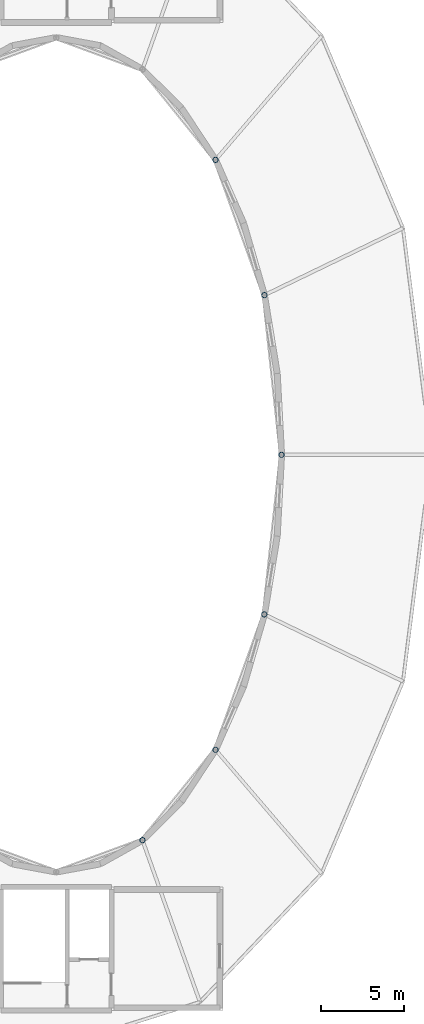
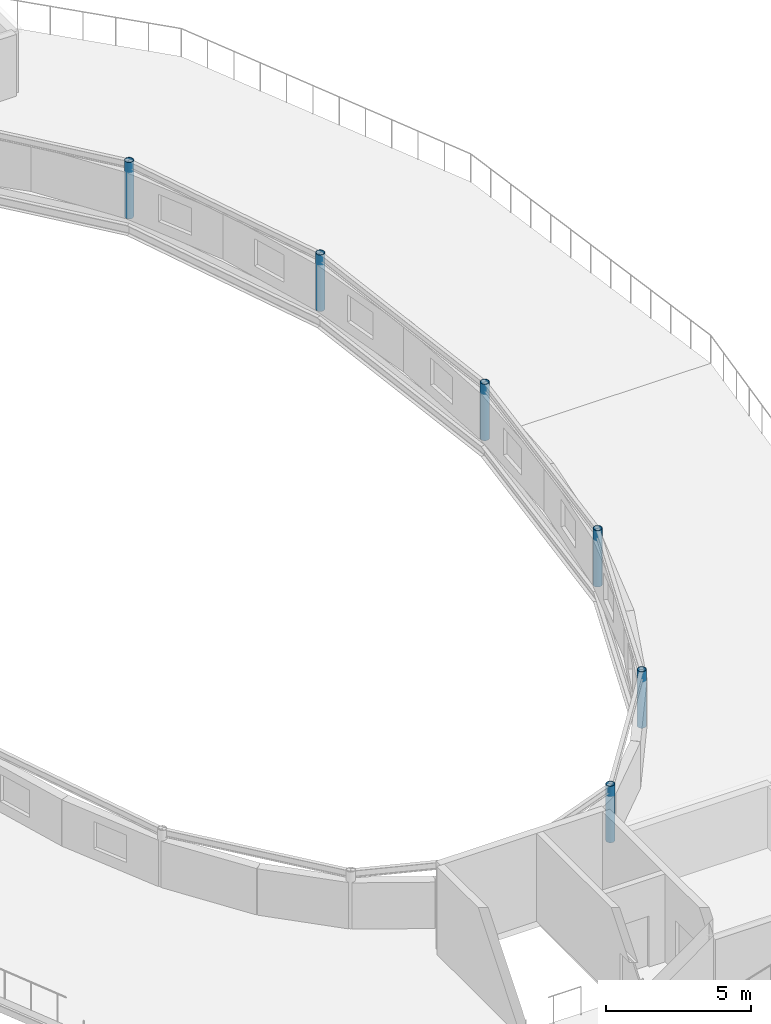
# One storey, part 23 of 123: 6 columns.
"""IFC4 building model written with IfcOpenShell, lengths in metres."""

import ifcopenshell
import ifcopenshell.guid

model = None  # the IFC model being written
_history = None  # IfcOwnerHistory: only IFC2X3 demands one
_inside = {}  # id of a spatial element -> (the spatial element, [elements in it])
_under = {}  # id of a project, library or spatial element -> (it, [spatial elements below it])
_declared = {}  # id of a project -> (the project, [libraries it declares])
_typed = {}  # id of a type object -> (the type object, [elements of that type])
_made_of = {}  # id of a material, layer set ... -> (it, [elements and type objects made of it])


def new_model(schema):
    """Start an empty IFC model of exactly this schema.

    Asked for "IFC4X3", IfcOpenShell would pick the latest addendum, in which some entities
    have other attributes; the version numbers below select the first issue.
    IFC2X3 requires an IfcOwnerHistory on every rooted entity: one is made here for all.
    """
    global model, _history
    if schema == "IFC4X3":
        model = ifcopenshell.file(schema_version=(4, 3, 0, 0))
    else:
        model = ifcopenshell.file(schema=schema)
    _inside.clear()
    _under.clear()
    _declared.clear()
    _typed.clear()
    _made_of.clear()
    _history = None
    if model.schema == "IFC2X3":
        org = make("IfcOrganization", Name="unknown")
        user = make(
            "IfcPersonAndOrganization",
            ThePerson=make("IfcPerson", FamilyName="unknown"),
            TheOrganization=org,
        )
        app = make(
            "IfcApplication",
            ApplicationDeveloper=org,
            Version="unknown",
            ApplicationFullName="unknown",
            ApplicationIdentifier="unknown",
        )
        _history = make(
            "IfcOwnerHistory",
            OwningUser=user,
            OwningApplication=app,
            ChangeAction="ADDED",
            CreationDate=0,
        )
    return model


def make(cls, **values):
    """One entity of the class cls with the attributes given. An attribute that is None is left unset."""
    return model.create_entity(
        cls, **{name: value for name, value in values.items() if value is not None}
    )


def rooted(cls, **values):
    """An entity with a GlobalId (a new one), such as an element, a storey or a relation."""
    return make(cls, GlobalId=ifcopenshell.guid.new(), OwnerHistory=_history, **values)


def si_unit(unit_type, name, prefix=None):
    """IfcSIUnit, for example si_unit("LENGTHUNIT", "METRE", prefix="MILLI")."""
    return make("IfcSIUnit", UnitType=unit_type, Prefix=prefix, Name=name)


def assignment(units):
    """IfcUnitAssignment: the units of a project."""
    return None if units is None else make("IfcUnitAssignment", Units=units)


def point(xyz):
    """IfcCartesianPoint."""
    return None if xyz is None else make("IfcCartesianPoint", Coordinates=xyz)


def direction(xyz):
    """IfcDirection."""
    return None if xyz is None else make("IfcDirection", DirectionRatios=xyz)


def frame(location, z_axis=None, x_axis=None):
    """IfcAxis2Placement3D, a coordinate frame: its origin and axes. An axis left out is left unset."""
    return make(
        "IfcAxis2Placement3D",
        Location=point(location),
        Axis=direction(z_axis),
        RefDirection=direction(x_axis),
    )


def frame_2d(location, x_axis=None):
    """IfcAxis2Placement2D, a coordinate frame in the plane: its origin and x axis."""
    return make(
        "IfcAxis2Placement2D", Location=point(location), RefDirection=direction(x_axis)
    )


def origin():
    """The frame at (0, 0, 0) with its axes left unset."""
    return frame((0.0, 0.0, 0.0))


def origin_2d():
    """The frame at (0, 0) in the plane with its x axis left unset."""
    return frame_2d((0.0, 0.0))


def place(relative_to, where):
    """IfcLocalPlacement: puts the frame where relative to a parent placement (None: the world)."""
    return make(
        "IfcLocalPlacement", PlacementRelTo=relative_to, RelativePlacement=where
    )


def context(
    kind, dimensions, precision=None, world=None, true_north=None, identifier=None
):
    """IfcGeometricRepresentationContext, for example the 3D "Model" context."""
    return make(
        "IfcGeometricRepresentationContext",
        ContextIdentifier=identifier,
        ContextType=kind,
        CoordinateSpaceDimension=dimensions,
        Precision=precision,
        WorldCoordinateSystem=world,
        TrueNorth=true_north,
    )


def subcontext(parent, identifier, kind, view, scale=None):
    """IfcGeometricRepresentationSubContext, for example "Body" below "Model"."""
    return make(
        "IfcGeometricRepresentationSubContext",
        ContextIdentifier=identifier,
        ContextType=kind,
        ParentContext=parent,
        TargetScale=scale,
        TargetView=view,
    )


def project(units=None, contexts=None):
    """IfcProject with its units and contexts."""
    return rooted(
        "IfcProject",
        Name="project",
        RepresentationContexts=contexts,
        UnitsInContext=assignment(units),
    )


def spatial(cls, under=None, at=None, **own):
    """A site, building, storey or space (cls), placed at a placement, below another one or the project."""
    s = rooted(cls, ObjectPlacement=at, **own)
    if under is not None:
        _under.setdefault(under.id(), (under, []))[1].append(s)
    return s


def profile(cls, at=None, kind="AREA", **sizes):
    """A parametric profile (cls). Its sizes go by their IFC names, for example OverallWidth=200.0."""
    return make(cls, ProfileType=kind, Position=at, **sizes)


def hollow_circle(**sizes):
    """IfcCircleHollowProfileDef."""
    return profile("IfcCircleHollowProfileDef", **sizes)


def extrude(swept, where, along, depth):
    """IfcExtrudedAreaSolid: the profile swept, set in the frame where, extruded along a direction by depth."""
    return make(
        "IfcExtrudedAreaSolid",
        SweptArea=swept,
        Position=where,
        ExtrudedDirection=direction(along),
        Depth=depth,
    )


def shape(context_of_items, identifier, shape_type, items):
    """IfcShapeRepresentation: the items that make up one representation, for example the "Body"."""
    return make(
        "IfcShapeRepresentation",
        ContextOfItems=context_of_items,
        RepresentationIdentifier=identifier,
        RepresentationType=shape_type,
        Items=items,
    )


def material(Name=None, Category=None):
    """IfcMaterial."""
    return make("IfcMaterial", Name=Name, Category=Category)


def material_profile(
    of_material, cross_section, Name=None, Category=None, Priority=None
):
    """IfcMaterialProfile: a cross section and its material."""
    return make(
        "IfcMaterialProfile",
        Name=Name,
        Material=of_material,
        Profile=cross_section,
        Priority=Priority,
        Category=Category,
    )


def profile_set(profiles, Name=None, composite=None):
    """IfcMaterialProfileSet."""
    return make(
        "IfcMaterialProfileSet",
        Name=Name,
        MaterialProfiles=profiles,
        CompositeProfile=composite,
    )


def made_of(thing, what):
    """Note that an element or type object is made of a material, layer set ...; save() writes the relation."""
    if what is not None:
        _made_of.setdefault(what.id(), (what, []))[1].append(thing)
    return thing


def type_object(cls, material=None, **own):
    """A type object (cls), such as IfcWallType, which elements share."""
    return made_of(rooted(cls, **own), material)


def element(
    cls,
    number,
    at=None,
    inside=None,
    cuts=None,
    type_object=None,
    material=None,
    context=None,
    identifier="Body",
    shape_type=None,
    held_by="IfcProductDefinitionShape",
    body=None,
    shapes=None,
    **own,
):
    """One element of the class cls, such as IfcWall. Its Tag is "e" and its number.

    at: its placement. inside: the storey or other place that contains it. cuts: it is an
    opening in that element (IfcRelVoidsElement). A single representation is given by context,
    identifier, shape_type and body (its items); several are given by shapes. held_by: the class
    of the entity that holds the representations. save() writes the other relations.
    """
    e = rooted(cls, Tag="e%d" % number, ObjectPlacement=at, **own)
    if body is not None:
        shapes = [shape(context, identifier, shape_type, body)]
    if shapes is not None:
        e.Representation = make(held_by, Representations=shapes)
    if inside is not None:
        _inside.setdefault(inside.id(), (inside, []))[1].append(e)
    if cuts is not None:
        rooted(
            "IfcRelVoidsElement", RelatingBuildingElement=cuts, RelatedOpeningElement=e
        )
    if type_object is not None:
        _typed.setdefault(type_object.id(), (type_object, []))[1].append(e)
    return made_of(e, material)


def aggregate(whole, parts):
    """IfcRelAggregates: a whole, such as a stair, and the parts it consists of."""
    return rooted("IfcRelAggregates", RelatingObject=whole, RelatedObjects=parts)


def save(model, path):
    """Write the relations noted so far, then the file.

    IfcRelAggregates (storeys below a building ...), IfcRelContainedInSpatialStructure (elements
    in a storey), IfcRelDefinesByType, IfcRelAssociatesMaterial and IfcRelDeclares: one each for
    every whole, place, type object, material and project.
    """
    for whole, parts in _under.values():
        aggregate(whole, parts)
    for where, things in _inside.values():
        rooted(
            "IfcRelContainedInSpatialStructure",
            RelatedElements=things,
            RelatingStructure=where,
        )
    for kind, things in _typed.values():
        rooted("IfcRelDefinesByType", RelatedObjects=things, RelatingType=kind)
    for what, things in _made_of.values():
        rooted("IfcRelAssociatesMaterial", RelatedObjects=things, RelatingMaterial=what)
    for by, libraries in _declared.values():
        rooted("IfcRelDeclares", RelatingContext=by, RelatedDefinitions=libraries)
    model.write(path)


model = new_model("IFC4")

# Units and contexts
model_context = context("Model", 3, precision=1e-05, world=origin(), true_north=direction((0.0, 1.0)))
body_context = subcontext(model_context, "Body", "Model", "MODEL_VIEW")
ifc_project = project(units=[si_unit("LENGTHUNIT", "METRE"), si_unit("AREAUNIT", "SQUARE_METRE"), si_unit("VOLUMEUNIT", "CUBIC_METRE"), si_unit("PLANEANGLEUNIT", "RADIAN"), si_unit("MASSUNIT", "GRAM", prefix="KILO")], contexts=[model_context])

# Site, building, storey
site_placement = place(None, origin())
site = spatial("IfcSite", under=ifc_project, at=site_placement, CompositionType="ELEMENT")
building_placement = place(site_placement, origin())
building = spatial("IfcBuilding", under=site, at=building_placement, Name="Kildeholm Park Wholesale Market", CompositionType="ELEMENT")
storey_placement = place(building_placement, frame((0.0, 0.0, 9.60009765625)))
storey = spatial("IfcBuildingStorey", under=building, at=storey_placement, Name="L02", CompositionType="ELEMENT", Elevation=9.60009765625)

# Columns
ifc_material = material(Name="Steel S355", Category="steel")
ifc_material_profile = material_profile(ifc_material, hollow_circle(Radius=0.161865234375, WallThickness=0.01611328125, at=origin_2d()), Name="CHS 323.9x16")
ifc_profile_set = profile_set([ifc_material_profile], Name="Steel S355")
column_type = type_object("IfcColumnType", Name="Column C-S09 CHS 323.9x16", PredefinedType="COLUMN", material=ifc_profile_set)
for number, where, z_axis, x_axis, name in (
    (1, (201.5, 94.5, 0.0), (0.0, 0.0, 1.0), (1.0, 0.0, 0.0), "Column V2-IN-00 L02 COL-0219"),
    (2, (200.471923828125, 104.06689453125, 0.0), (0.0, 0.0, 1.0), (0.923879532511, 0.382683432365, 0.0), "Column V2-IN-01 L02 COL-0224"),
    (3, (197.5458984375, 112.177978515625, 0.0), (0.0, 0.0, 1.0), (0.707106781187, 0.707106781187, 0.0), "Column V2-IN-02 L02 COL-0229"),
    (4, (193.166015625, 71.403076171875, 0.0), (0.0, 0.0, 1.0), (0.382683432365, -0.923879532511, 0.0), "Column V2-IN-13 L02 COL-0284"),
    (5, (197.5458984375, 76.822021484375, 0.0), (0.0, 0.0, 1.0), (0.707106781187, -0.707106781187, 0.0), "Column V2-IN-14 L02 COL-0289"),
    (6, (200.471923828125, 84.93310546875, 0.0), (0.0, 0.0, 1.0), (0.923879532511, -0.382683432365, 0.0), "Column V2-IN-15 L02 COL-0294"),
):
    element("IfcColumn", number, at=place(storey_placement, frame(where, z_axis=z_axis, x_axis=x_axis)), inside=storey, type_object=column_type, Name=name, PredefinedType="COLUMN", context=body_context, shape_type="SweptSolid", body=[
        extrude(hollow_circle(Radius=0.161865234375, WallThickness=0.01611328125, at=origin_2d()), origin(), (0.0, 0.0, 1.0), 2.3798828125),
    ])

save(model, "model.ifc")
